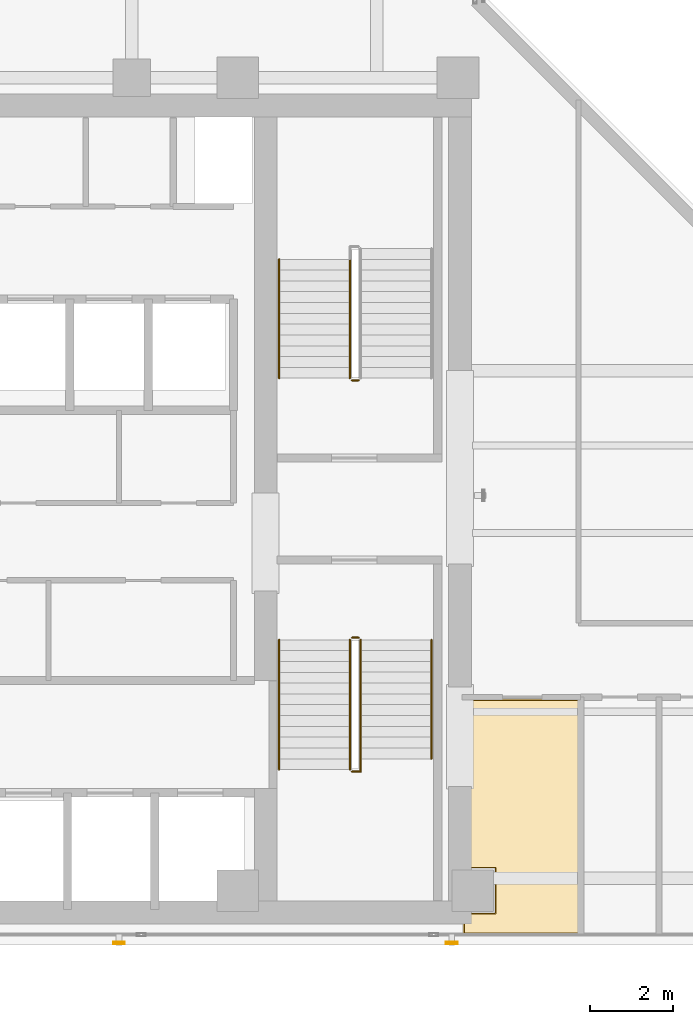
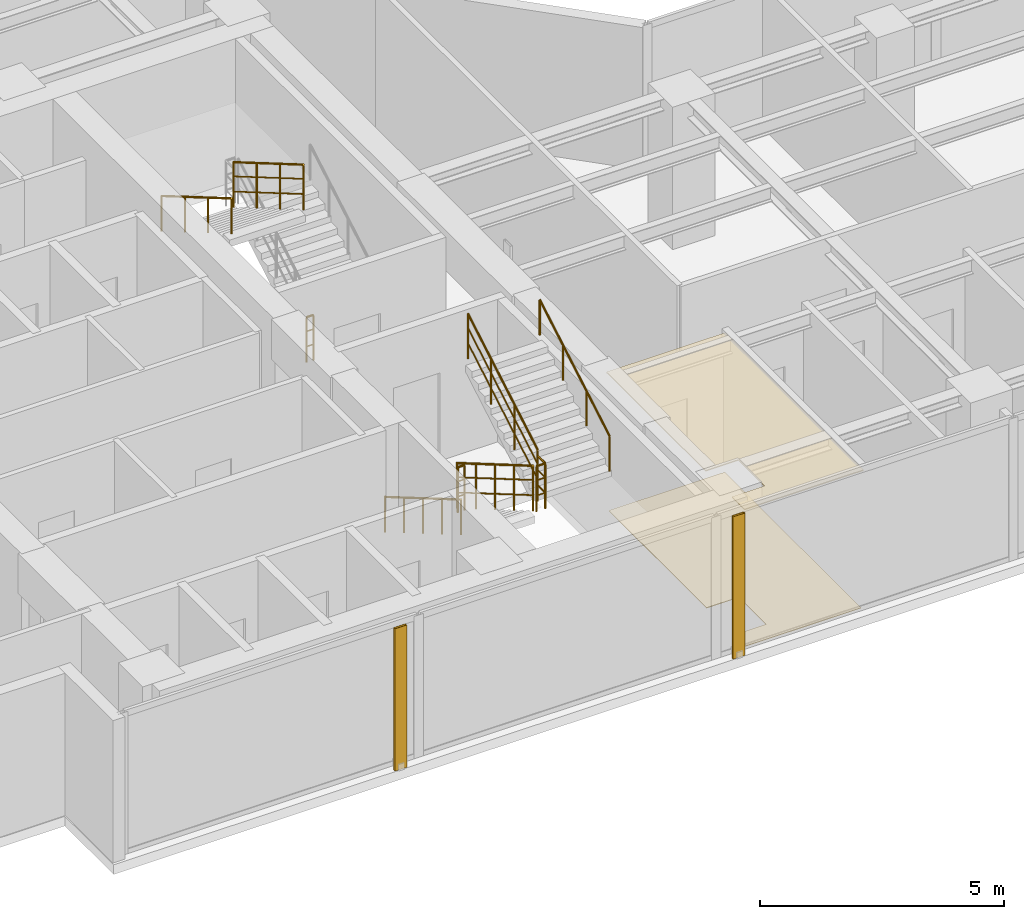
# One storey, part 19 of 23: 9 railings, 2 coverings, 2 shading devices.
"""IFC4 building model written with IfcOpenShell, lengths in metres."""

from ifc_helpers import new_model, si_unit, direction, frame, origin, origin_2d, place, context, subcontext, project, spatial, polyline, hollow_rectangle, circle, outline, extrude, material, layer, layer_set, material_profile, profile_set, type_object, element, save


model = new_model("IFC4")

# Units and contexts
model_context = context("Model", 3, precision=1e-05, world=origin(), true_north=direction((0.0, 1.0)))
body_context = subcontext(model_context, "Body", "Model", "MODEL_VIEW")
ifc_project = project(units=[si_unit("LENGTHUNIT", "METRE"), si_unit("AREAUNIT", "SQUARE_METRE"), si_unit("VOLUMEUNIT", "CUBIC_METRE"), si_unit("PLANEANGLEUNIT", "RADIAN"), si_unit("MASSUNIT", "GRAM", prefix="KILO")], contexts=[model_context])

# Site, building, storey
site_placement = place(None, origin())
site = spatial("IfcSite", under=ifc_project, at=site_placement, CompositionType="ELEMENT")
building_placement = place(site_placement, origin())
building = spatial("IfcBuilding", under=site, at=building_placement, Name="Kolvaren Waterfront Exchange", CompositionType="ELEMENT")
storey_placement = place(building_placement, frame((0.0, 0.0, 242.5)))
storey = spatial("IfcBuildingStorey", under=building, at=storey_placement, Name="L62", CompositionType="ELEMENT", Elevation=242.5)

# Covering
ifc_material_1 = material(Name="Mineral fibre acoustic ceiling tile")
ifc_layer_1 = layer(ifc_material_1, 0.02490234375, Name="Mineral fibre acoustic ceiling tile")
ifc_layer_set_1 = layer_set([ifc_layer_1], Name="Mineral fibre acoustic ceiling tile")
covering_type_1 = type_object("IfcCoveringType", Name="ARC-CEIL-ACOUSTIC-25", PredefinedType="CEILING", material=ifc_layer_set_1)
covering_1_placement = place(storey_placement, frame((0.0, 0.0, 3.445068359375)))
element("IfcCovering", 1, at=covering_1_placement, inside=storey, type_object=covering_type_1, Name="L62 acoustic suspended ceiling 1", PredefinedType="CEILING", context=body_context, shape_type="SweptSolid", body=[
    extrude(outline(polyline([(20.864990234375, 5.43994140625), (21.639892578125, 5.43994140625), (21.639892578125, 4.360107421875), (20.864990234375, 4.360107421875), (20.864990234375, 3.844970703125), (23.675048828125, 3.844970703125), (23.675048828125, 9.5048828125), (20.864990234375, 9.5048828125), (20.864990234375, 5.43994140625)])), origin(), (0.0, 0.0, 1.0), 0.02490234375),
])

# Shading devices
ifc_material_2 = material(Name="Anodised bronze aluminium 6063-T6", Category="aluminium")
ifc_material_profile = material_profile(ifc_material_2, hollow_rectangle(XDim=0.054931640625, YDim=0.280029296875, WallThickness=0.00439453125, at=origin_2d()), Name="BRZ-FIN-280x55x4.5")
ifc_profile_set = profile_set([ifc_material_profile], Name="Anodised bronze aluminium 6063-T6")
shading_device_type = type_object("IfcShadingDeviceType", Name="ARC-FIN-280", PredefinedType="USERDEFINED", material=ifc_profile_set)
for number, where, z_axis, x_axis, name in (
    (2, (12.60009765625, 3.639892578125, 0.0), (0.0, 0.0, 1.0), (0.0, -1.0, 0.0), "L62 anodised bronze solar shading fin FIN-L62-S1"),
    (3, (20.60009765625, 3.639892578125, 0.0), (0.0, 0.0, 1.0), (0.0, -1.0, 0.0), "L62 anodised bronze solar shading fin FIN-L62-S2"),
):
    element("IfcShadingDevice", number, at=place(storey_placement, frame(where, z_axis=z_axis, x_axis=x_axis)), inside=storey, type_object=shading_device_type, Name=name, ObjectType="SOLAR FIN", PredefinedType="USERDEFINED", context=body_context, shape_type="SweptSolid", body=[
        extrude(hollow_rectangle(XDim=0.054931640625, YDim=0.280029296875, WallThickness=0.00439453125, at=origin_2d()), origin(), (0.0, 0.0, 1.0), 3.56005859375),
    ])

# Covering
ifc_material_3 = material(Name="Slip-resistant porcelain tile")
ifc_layer_2 = layer(ifc_material_3, 0.014892578125, Name="Slip-resistant porcelain tile")
ifc_layer_set_2 = layer_set([ifc_layer_2], Name="Slip-resistant porcelain tile")
covering_type_2 = type_object("IfcCoveringType", Name="ARC-FLR-PORC-15", PredefinedType="FLOORING", material=ifc_layer_set_2)
covering_2_placement = place(storey_placement, origin())
element("IfcCovering", 4, at=covering_2_placement, inside=storey, type_object=covering_type_2, Name="L62 floor finish 1", PredefinedType="FLOORING", context=body_context, shape_type="SweptSolid", body=[
    extrude(outline(polyline([(20.89990234375, 4.340087890625), (20.89990234375, 3.8798828125), (23.639892578125, 3.8798828125), (23.639892578125, 9.469970703125), (20.89990234375, 9.469970703125), (20.89990234375, 5.4599609375), (21.659912109375, 5.4599609375), (21.659912109375, 4.340087890625), (20.89990234375, 4.340087890625)])), origin(), (0.0, 0.0, 1.0), 0.014892578125),
])

# Railings
ifc_material_4 = material(Name="Stainless steel 316", Category="steel")
railing_type_1 = type_object("IfcRailingType", Name="ARC-GUARD-STAIR", PredefinedType="GUARDRAIL", material=ifc_material_4)
railing_1_placement = place(storey_placement, frame((18.14990234375, 10.929931640625, 0.152099609375)))
element("IfcRailing", 5, at=railing_1_placement, inside=storey, type_object=railing_type_1, Name="L62 ST1 stair guard 1", PredefinedType="GUARDRAIL", context=body_context, shape_type="SweptSolid", body=[
    extrude(circle(Radius=0.02392578125, at=origin_2d()), frame((0.0, 0.0, 1.1259765625), z_axis=(0.0, -0.86329090724, 0.504706656858), x_axis=(1.0, 0.0, 0.0)), (0.0, 0.0, 1.0), 3.614013671875),
    extrude(circle(Radius=0.01611328125, at=origin_2d()), frame((0.0, 0.0, 0.390869140625), z_axis=(0.0, -0.86329090724, 0.504706656858), x_axis=(1.0, 0.0, 0.0)), (0.0, 0.0, 1.0), 3.614013671875),
    extrude(circle(Radius=0.01611328125, at=origin_2d()), frame((0.0, 0.0, 0.7705078125), z_axis=(0.0, -0.86329090724, 0.504706656858), x_axis=(1.0, 0.0, 0.0)), (0.0, 0.0, 1.0), 3.614013671875),
    extrude(circle(Radius=0.02099609375, at=origin_2d()), origin(), (0.0, 0.0, 1.0), 1.101806640625),
    extrude(circle(Radius=0.02099609375, at=origin_2d()), frame((0.0, -0.780029296875, 0.4560546875)), (0.0, 0.0, 1.0), 1.101806640625),
    extrude(circle(Radius=0.02099609375, at=origin_2d()), frame((0.0, -1.56005859375, 0.912109375)), (0.0, 0.0, 1.0), 1.101806640625),
    extrude(circle(Radius=0.02099609375, at=origin_2d()), frame((0.0, -2.33984375, 1.367919921875)), (0.0, 0.0, 1.0), 1.101806640625),
    extrude(circle(Radius=0.02099609375, at=origin_2d()), frame((0.0, -3.119873046875, 1.823974609375)), (0.0, 0.0, 1.0), 1.101806640625),
])
railing_2_placement = place(storey_placement, frame((18.199951171875, 7.760009765625, 1.97607421875)))
element("IfcRailing", 6, at=railing_2_placement, inside=storey, type_object=railing_type_1, Name="L62 ST1 stair guard 2", PredefinedType="GUARDRAIL", context=body_context, shape_type="SweptSolid", body=[
    extrude(circle(Radius=0.02392578125, at=origin_2d()), frame((0.0, 0.0, 1.1259765625), z_axis=(1.0, 0.0, 0.0), x_axis=(0.0, 1.0, 0.0)), (0.0, 0.0, 1.0), 0.2099609375),
    extrude(circle(Radius=0.01611328125, at=origin_2d()), frame((0.0, 0.0, 0.390869140625), z_axis=(1.0, 0.0, 0.0), x_axis=(0.0, 1.0, 0.0)), (0.0, 0.0, 1.0), 0.2099609375),
    extrude(circle(Radius=0.01611328125, at=origin_2d()), frame((0.0, 0.0, 0.7705078125), z_axis=(1.0, 0.0, 0.0), x_axis=(0.0, 1.0, 0.0)), (0.0, 0.0, 1.0), 0.2099609375),
    extrude(circle(Radius=0.02392578125, at=origin_2d()), frame((0.2099609375, 0.0, 1.1259765625), z_axis=(0.0, 1.0, 0.0), x_axis=(-1.0, 0.0, 0.0)), (0.0, 0.0, 1.0), 0.31005859375),
    extrude(circle(Radius=0.01611328125, at=origin_2d()), frame((0.2099609375, 0.0, 0.390869140625), z_axis=(0.0, 1.0, 0.0), x_axis=(-1.0, 0.0, 0.0)), (0.0, 0.0, 1.0), 0.31005859375),
    extrude(circle(Radius=0.01611328125, at=origin_2d()), frame((0.2099609375, 0.0, 0.7705078125), z_axis=(0.0, 1.0, 0.0), x_axis=(-1.0, 0.0, 0.0)), (0.0, 0.0, 1.0), 0.31005859375),
    extrude(circle(Radius=0.02099609375, at=origin_2d()), origin(), (0.0, 0.0, 1.0), 1.101806640625),
    extrude(circle(Radius=0.02099609375, at=origin_2d()), frame((0.2099609375, 0.0, 0.0)), (0.0, 0.0, 1.0), 1.101806640625),
    extrude(circle(Radius=0.02099609375, at=origin_2d()), frame((0.2099609375, 0.31005859375, 0.0)), (0.0, 0.0, 1.0), 1.101806640625),
])
railing_3_placement = place(storey_placement, frame((18.409912109375, 8.070068359375, 2.1279296875)))
element("IfcRailing", 7, at=railing_3_placement, inside=storey, type_object=railing_type_1, Name="L62 ST1 stair guard 3", PredefinedType="GUARDRAIL", context=body_context, shape_type="SweptSolid", body=[
    extrude(circle(Radius=0.02392578125, at=origin_2d()), frame((0.0, 0.0, 1.1259765625), z_axis=(0.0, 0.863270611444, 0.50474137082), x_axis=(-1.0, 0.0, 0.0)), (0.0, 0.0, 1.0), 3.312744140625),
    extrude(circle(Radius=0.01611328125, at=origin_2d()), frame((0.0, 0.0, 0.390869140625), z_axis=(0.0, 0.863270611444, 0.50474137082), x_axis=(-1.0, 0.0, 0.0)), (0.0, 0.0, 1.0), 3.312744140625),
    extrude(circle(Radius=0.01611328125, at=origin_2d()), frame((0.0, 0.0, 0.7705078125), z_axis=(0.0, 0.863270611444, 0.50474137082), x_axis=(-1.0, 0.0, 0.0)), (0.0, 0.0, 1.0), 3.312744140625),
    extrude(circle(Radius=0.02099609375, at=origin_2d()), origin(), (0.0, 0.0, 1.0), 1.101806640625),
    extrude(circle(Radius=0.02099609375, at=origin_2d()), frame((0.0, 0.953369140625, 0.557373046875)), (0.0, 0.0, 1.0), 1.101806640625),
    extrude(circle(Radius=0.02099609375, at=origin_2d()), frame((0.0, 1.906494140625, 1.11474609375)), (0.0, 0.0, 1.0), 1.101806640625),
    extrude(circle(Radius=0.02099609375, at=origin_2d()), frame((0.0, 2.85986328125, 1.672119140625)), (0.0, 0.0, 1.0), 1.101806640625),
])
railing_4_placement = place(storey_placement, frame((18.199951171875, 10.97998046875, 0.0)))
element("IfcRailing", 8, at=railing_4_placement, inside=storey, type_object=railing_type_1, Name="L62 ST1 stair guard 4", PredefinedType="GUARDRAIL", context=body_context, shape_type="SweptSolid", body=[
    extrude(circle(Radius=0.02392578125, at=origin_2d()), frame((0.0, 0.0, 1.1259765625), z_axis=(1.0, 0.0, 0.0), x_axis=(0.0, 1.0, 0.0)), (0.0, 0.0, 1.0), 0.16015625),
    extrude(circle(Radius=0.01611328125, at=origin_2d()), frame((0.0, 0.0, 0.390869140625), z_axis=(1.0, 0.0, 0.0), x_axis=(0.0, 1.0, 0.0)), (0.0, 0.0, 1.0), 0.16015625),
    extrude(circle(Radius=0.01611328125, at=origin_2d()), frame((0.0, 0.0, 0.7705078125), z_axis=(1.0, 0.0, 0.0), x_axis=(0.0, 1.0, 0.0)), (0.0, 0.0, 1.0), 0.16015625),
    extrude(circle(Radius=0.02099609375, at=origin_2d()), origin(), (0.0, 0.0, 1.0), 1.101806640625),
    extrude(circle(Radius=0.02099609375, at=origin_2d()), frame((0.16015625, 0.0, 0.0)), (0.0, 0.0, 1.0), 1.101806640625),
])
railing_5_placement = place(storey_placement, frame((18.14990234375, 20.080078125, 2.1279296875)))
element("IfcRailing", 9, at=railing_5_placement, inside=storey, type_object=railing_type_1, Name="L62 ST2 stair guard 3", PredefinedType="GUARDRAIL", context=body_context, shape_type="SweptSolid", body=[
    extrude(circle(Radius=0.02392578125, at=origin_2d()), frame((0.0, 0.0, 1.1259765625), z_axis=(0.0, -0.863289384635, 0.504709261235), x_axis=(1.0, 0.0, 0.0)), (0.0, 0.0, 1.0), 3.31298828125),
    extrude(circle(Radius=0.01611328125, at=origin_2d()), frame((0.0, 0.0, 0.390869140625), z_axis=(0.0, -0.863289384635, 0.504709261235), x_axis=(1.0, 0.0, 0.0)), (0.0, 0.0, 1.0), 3.31298828125),
    extrude(circle(Radius=0.01611328125, at=origin_2d()), frame((0.0, 0.0, 0.7705078125), z_axis=(0.0, -0.863289384635, 0.504709261235), x_axis=(1.0, 0.0, 0.0)), (0.0, 0.0, 1.0), 3.31298828125),
    extrude(circle(Radius=0.02099609375, at=origin_2d()), origin(), (0.0, 0.0, 1.0), 1.101806640625),
    extrude(circle(Radius=0.02099609375, at=origin_2d()), frame((0.0, -0.953369140625, 0.557373046875)), (0.0, 0.0, 1.0), 1.101806640625),
    extrude(circle(Radius=0.02099609375, at=origin_2d()), frame((0.0, -1.90673828125, 1.11474609375)), (0.0, 0.0, 1.0), 1.101806640625),
    extrude(circle(Radius=0.02099609375, at=origin_2d()), frame((0.0, -2.860107421875, 1.672119140625)), (0.0, 0.0, 1.0), 1.101806640625),
])
railing_6_placement = place(storey_placement, frame((18.360107421875, 17.169921875, 0.0)))
element("IfcRailing", 10, at=railing_6_placement, inside=storey, type_object=railing_type_1, Name="L62 ST2 stair guard 4", PredefinedType="GUARDRAIL", context=body_context, shape_type="SweptSolid", body=[
    extrude(circle(Radius=0.02392578125, at=origin_2d()), frame((0.0, 0.0, 1.1259765625), z_axis=(-1.0, 0.0, 0.0), x_axis=(0.0, -1.0, 0.0)), (0.0, 0.0, 1.0), 0.16015625),
    extrude(circle(Radius=0.01611328125, at=origin_2d()), frame((0.0, 0.0, 0.390869140625), z_axis=(-1.0, 0.0, 0.0), x_axis=(0.0, -1.0, 0.0)), (0.0, 0.0, 1.0), 0.16015625),
    extrude(circle(Radius=0.01611328125, at=origin_2d()), frame((0.0, 0.0, 0.7705078125), z_axis=(-1.0, 0.0, 0.0), x_axis=(0.0, -1.0, 0.0)), (0.0, 0.0, 1.0), 0.16015625),
    extrude(circle(Radius=0.02099609375, at=origin_2d()), origin(), (0.0, 0.0, 1.0), 1.101806640625),
    extrude(circle(Radius=0.02099609375, at=origin_2d()), frame((-0.16015625, 0.0, 0.0)), (0.0, 0.0, 1.0), 1.101806640625),
])
railing_type_2 = type_object("IfcRailingType", Name="ARC-HANDRAIL-900", PredefinedType="HANDRAIL", material=ifc_material_4)
railing_7_placement = place(storey_placement, frame((16.449951171875, 10.929931640625, 0.152099609375)))
element("IfcRailing", 11, at=railing_7_placement, inside=storey, type_object=railing_type_2, Name="L62 ST1 stair handrail 1", PredefinedType="HANDRAIL", context=body_context, shape_type="SweptSolid", body=[
    extrude(circle(Radius=0.02392578125, at=origin_2d()), frame((0.0, 0.0, 0.8759765625), z_axis=(0.0, -0.86329090724, 0.504706656858), x_axis=(1.0, 0.0, 0.0)), (0.0, 0.0, 1.0), 3.614013671875),
    extrude(circle(Radius=0.02099609375, at=origin_2d()), origin(), (0.0, 0.0, 1.0), 0.851806640625),
    extrude(circle(Radius=0.02099609375, at=origin_2d()), frame((0.0, -0.780029296875, 0.4560546875)), (0.0, 0.0, 1.0), 0.851806640625),
    extrude(circle(Radius=0.02099609375, at=origin_2d()), frame((0.0, -1.56005859375, 0.912109375)), (0.0, 0.0, 1.0), 0.851806640625),
    extrude(circle(Radius=0.02099609375, at=origin_2d()), frame((0.0, -2.33984375, 1.367919921875)), (0.0, 0.0, 1.0), 0.851806640625),
    extrude(circle(Radius=0.02099609375, at=origin_2d()), frame((0.0, -3.119873046875, 1.823974609375)), (0.0, 0.0, 1.0), 0.851806640625),
])
railing_8_placement = place(storey_placement, frame((20.110107421875, 8.070068359375, 2.1279296875)))
element("IfcRailing", 12, at=railing_8_placement, inside=storey, type_object=railing_type_2, Name="L62 ST1 stair handrail 2", PredefinedType="HANDRAIL", context=body_context, shape_type="SweptSolid", body=[
    extrude(circle(Radius=0.02392578125, at=origin_2d()), frame((0.0, 0.0, 0.8759765625), z_axis=(0.0, 0.863270611444, 0.50474137082), x_axis=(-1.0, 0.0, 0.0)), (0.0, 0.0, 1.0), 3.312744140625),
    extrude(circle(Radius=0.02099609375, at=origin_2d()), origin(), (0.0, 0.0, 1.0), 0.851806640625),
    extrude(circle(Radius=0.02099609375, at=origin_2d()), frame((0.0, 0.953369140625, 0.557373046875)), (0.0, 0.0, 1.0), 0.851806640625),
    extrude(circle(Radius=0.02099609375, at=origin_2d()), frame((0.0, 1.906494140625, 1.11474609375)), (0.0, 0.0, 1.0), 0.851806640625),
    extrude(circle(Radius=0.02099609375, at=origin_2d()), frame((0.0, 2.85986328125, 1.672119140625)), (0.0, 0.0, 1.0), 0.851806640625),
])
railing_9_placement = place(storey_placement, frame((16.449951171875, 20.080078125, 2.1279296875)))
element("IfcRailing", 13, at=railing_9_placement, inside=storey, type_object=railing_type_2, Name="L62 ST2 stair handrail 2", PredefinedType="HANDRAIL", context=body_context, shape_type="SweptSolid", body=[
    extrude(circle(Radius=0.02392578125, at=origin_2d()), frame((0.0, 0.0, 0.8759765625), z_axis=(0.0, -0.863289384635, 0.504709261235), x_axis=(1.0, 0.0, 0.0)), (0.0, 0.0, 1.0), 3.31298828125),
    extrude(circle(Radius=0.02099609375, at=origin_2d()), origin(), (0.0, 0.0, 1.0), 0.851806640625),
    extrude(circle(Radius=0.02099609375, at=origin_2d()), frame((0.0, -0.953369140625, 0.557373046875)), (0.0, 0.0, 1.0), 0.851806640625),
    extrude(circle(Radius=0.02099609375, at=origin_2d()), frame((0.0, -1.90673828125, 1.11474609375)), (0.0, 0.0, 1.0), 0.851806640625),
    extrude(circle(Radius=0.02099609375, at=origin_2d()), frame((0.0, -2.860107421875, 1.672119140625)), (0.0, 0.0, 1.0), 0.851806640625),
])

save(model, "model.ifc")
